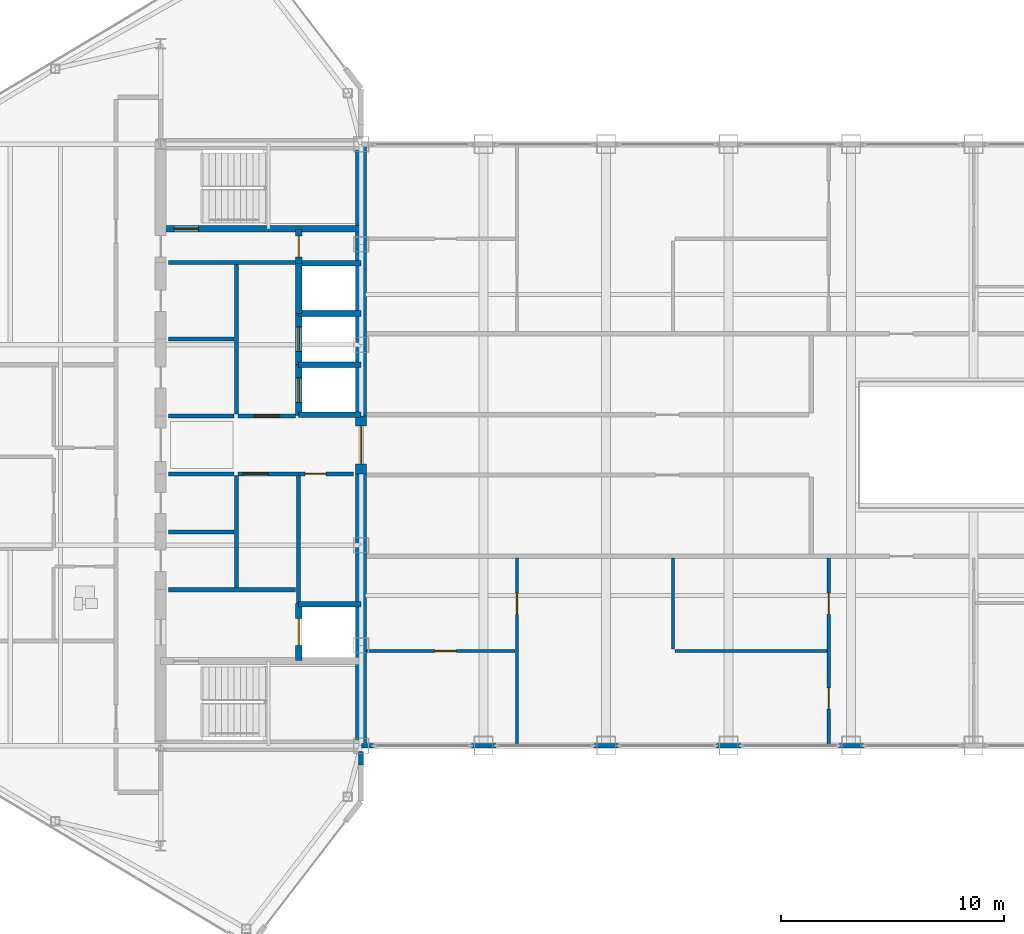
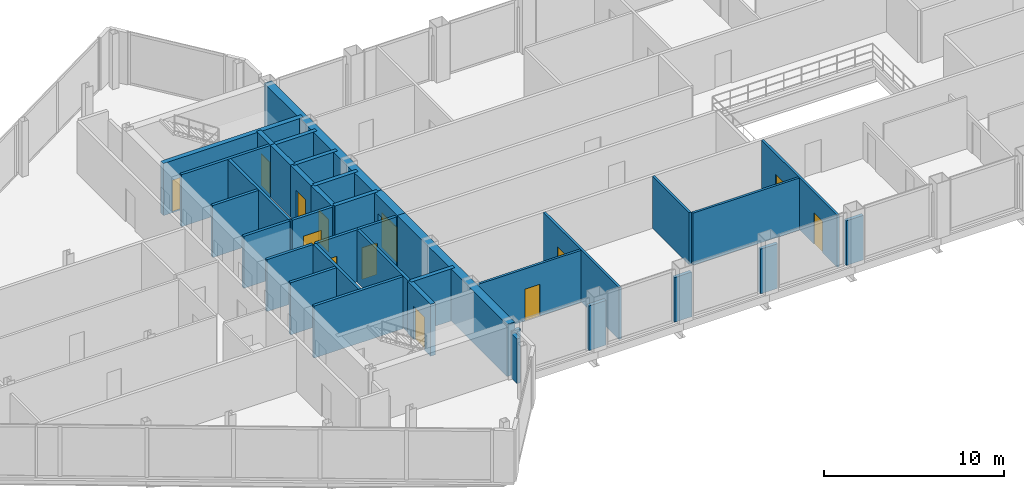
# One storey, part 22 of 29: 37 walls, 13 doors, 13 openings.
"""IFC4 building model written with IfcOpenShell, lengths in metres."""

from ifc_helpers import new_model, si_unit, direction, frame, frame_2d, origin, place, context, subcontext, project, spatial, rectangle, extrude, source, transform, mapped, material, layer, layer_set, type_object, type_shapes, element, fill, save


model = new_model("IFC4")

# Units and contexts
model_context = context("Model", 3, precision=1e-05, world=origin(), true_north=direction((0.0, 1.0)))
body_context = subcontext(model_context, "Body", "Model", "MODEL_VIEW")
ifc_project = project(units=[si_unit("LENGTHUNIT", "METRE"), si_unit("AREAUNIT", "SQUARE_METRE"), si_unit("VOLUMEUNIT", "CUBIC_METRE"), si_unit("PLANEANGLEUNIT", "RADIAN"), si_unit("MASSUNIT", "GRAM", prefix="KILO")], contexts=[model_context])

# Site, building, storey
site_placement = place(None, origin())
site = spatial("IfcSite", under=ifc_project, at=site_placement, CompositionType="ELEMENT")
building_placement = place(site_placement, origin())
building = spatial("IfcBuilding", under=site, at=building_placement, Name="Seokmaru Belvedere", CompositionType="ELEMENT")
storey_placement = place(building_placement, frame((0.0, 0.0, 243.14990234375)))
storey = spatial("IfcBuildingStorey", under=building, at=storey_placement, Name="L64", CompositionType="ELEMENT", Elevation=243.14990234375)

# Wall, opening, door
ifc_material_1 = material(Name="Fire-Rated Gypsum Shaftwall")
ifc_layer_1 = layer(ifc_material_1, 0.14990234375)
ifc_layer_set_1 = layer_set([ifc_layer_1], Name="Fire-Rated Gypsum Shaftwall")
wall_type_1 = type_object("IfcWallType", Name="Apartment Fire-Acoustic Room Partition 150", PredefinedType="PARTITIONING", material=ifc_layer_set_1)
wall_1_placement = place(storey_placement, frame((-27.2451171875, -9.25, 0.0), z_axis=(0.0, 0.0, 1.0), x_axis=(1.0, 0.0, 0.0)))
wall_1 = element("IfcWall", 1, at=wall_1_placement, inside=storey, type_object=wall_type_1, Name="L64 Interior Partition 003", PredefinedType="PARTITIONING", context=body_context, shape_type="SweptSolid", body=[
    extrude(rectangle(XDim=6.66015625, YDim=0.14990234375, at=frame_2d((3.330078125, 0.0))), origin(), (0.0, 0.0, 1.0), 3.530029296875),
])
opening_1_placement = place(wall_1_placement, frame((3.070068359375, 0.0, 0.0)))
opening_1 = element("IfcOpeningElement", 2, at=opening_1_placement, cuts=wall_1, Name="Opening D05", PredefinedType="OPENING", context=body_context, shape_type="SweptSolid", body=[
    extrude(rectangle(XDim=0.949951171875, YDim=2.14990234375, at=frame_2d((0.47509765625, 1.074951171875))), frame((0.0, 0.0849609375, 0.0), z_axis=(0.0, -1.0, 0.0), x_axis=(1.0, 0.0, 0.0)), (0.0, 0.0, 1.0), 0.169921875),
])
ifc_material_2 = material(Name="Engineered White Oak Timber", Category="wood")
door_type_1 = type_object("IfcDoorType", Name="Apartment Interior Fire-Rated Oak Door 950x2150", OperationType="NOTDEFINED", PredefinedType="DOOR", material=ifc_material_2)
shared_shape_1 = source(origin(), body_context, "Body", "SweptSolid", [
    extrude(rectangle(XDim=0.949951171875, YDim=2.14990234375, at=frame_2d((0.47509765625, 1.074951171875))), frame((0.0, 0.02490234375, 0.0), z_axis=(0.0, -1.0, 0.0), x_axis=(1.0, 0.0, 0.0)), (0.0, 0.0, 1.0), 0.050048828125),
])
type_shapes(door_type_1, [shared_shape_1])
door_1_placement = place(opening_1_placement, origin())
door_1 = element("IfcDoor", 3, at=door_1_placement, inside=storey, type_object=door_type_1, Name="L64 Interior Door 033", OperationType="SINGLE_SWING_RIGHT", OverallHeight=2.14990234375, OverallWidth=0.949951171875, PredefinedType="DOOR", context=body_context, shape_type="MappedRepresentation", body=[
    mapped(shared_shape_1, transform((0.0, 0.0, 0.0), scale=1.0)),
])
fill(opening_1, door_1)

# Wall
wall_2_placement = place(storey_placement, frame((-13.4150390625, -9.25, 0.0), z_axis=(0.0, 0.0, 1.0), x_axis=(1.0, 0.0, 0.0)))
element("IfcWall", 4, at=wall_2_placement, inside=storey, type_object=wall_type_1, Name="L64 Interior Partition 004", PredefinedType="PARTITIONING", context=body_context, shape_type="SweptSolid", body=[
    extrude(rectangle(XDim=6.830078125, YDim=0.14990234375, at=frame_2d((3.4150390625, 0.0))), origin(), (0.0, 0.0, 1.0), 3.530029296875),
])

# Wall, opening, door
wall_3_placement = place(storey_placement, frame((-20.5, -13.5, 0.0), z_axis=(0.0, 0.0, 1.0), x_axis=(0.0, 1.0, 0.0)))
wall_3 = element("IfcWall", 5, at=wall_3_placement, inside=storey, type_object=wall_type_1, Name="L64 Interior Partition 038", PredefinedType="PARTITIONING", context=body_context, shape_type="SweptSolid", body=[
    extrude(rectangle(XDim=8.4150390625, YDim=0.14990234375, at=frame_2d((4.20751953125, 0.0))), origin(), (0.0, 0.0, 1.0), 3.530029296875),
])
opening_2_placement = place(wall_3_placement, frame((5.89990234375, 0.0, 0.0)))
opening_2 = element("IfcOpeningElement", 6, at=opening_2_placement, cuts=wall_3, Name="Opening D05", PredefinedType="OPENING", context=body_context, shape_type="SweptSolid", body=[
    extrude(rectangle(XDim=0.949951171875, YDim=2.14990234375, at=frame_2d((0.47509765625, 1.074951171875))), frame((0.0, 0.0849609375, 0.0), z_axis=(0.0, -1.0, 0.0), x_axis=(1.0, 0.0, 0.0)), (0.0, 0.0, 1.0), 0.169921875),
])
door_2_placement = place(opening_2_placement, origin())
door_2 = element("IfcDoor", 7, at=door_2_placement, inside=storey, type_object=door_type_1, Name="L64 Interior Door 032", OperationType="SINGLE_SWING_LEFT", OverallHeight=2.14990234375, OverallWidth=0.949951171875, PredefinedType="DOOR", context=body_context, shape_type="MappedRepresentation", body=[
    mapped(shared_shape_1, transform((0.0, 0.0, 0.0), scale=1.0)),
])
fill(opening_2, door_2)

# Wall
wall_4_placement = place(storey_placement, frame((-13.5, -9.1650390625, 0.0), z_axis=(0.0, 0.0, 1.0), x_axis=(0.0, 1.0, 0.0)))
element("IfcWall", 8, at=wall_4_placement, inside=storey, type_object=wall_type_1, Name="L64 Interior Partition 040", PredefinedType="PARTITIONING", context=body_context, shape_type="SweptSolid", body=[
    extrude(rectangle(XDim=4.080078125, YDim=0.14990234375, at=frame_2d((2.0400390625, 0.0))), origin(), (0.0, 0.0, 1.0), 3.530029296875),
])

# Wall, openings, doors
wall_5_placement = place(storey_placement, frame((-6.5, -13.5, 0.0), z_axis=(0.0, 0.0, 1.0), x_axis=(0.0, 1.0, 0.0)))
wall_5 = element("IfcWall", 9, at=wall_5_placement, inside=storey, type_object=wall_type_1, Name="L64 Interior Partition 044", PredefinedType="PARTITIONING", context=body_context, shape_type="SweptSolid", body=[
    extrude(rectangle(XDim=8.4150390625, YDim=0.14990234375, at=frame_2d((4.20751953125, 0.0))), origin(), (0.0, 0.0, 1.0), 3.530029296875),
])
opening_3_placement = place(wall_5_placement, frame((5.89990234375, 0.0, 0.0)))
opening_3 = element("IfcOpeningElement", 10, at=opening_3_placement, cuts=wall_5, Name="Opening D05", PredefinedType="OPENING", context=body_context, shape_type="SweptSolid", body=[
    extrude(rectangle(XDim=0.949951171875, YDim=2.14990234375, at=frame_2d((0.47509765625, 1.074951171875))), frame((0.0, 0.0849609375, 0.0), z_axis=(0.0, -1.0, 0.0), x_axis=(1.0, 0.0, 0.0)), (0.0, 0.0, 1.0), 0.169921875),
])
opening_4_placement = place(wall_5_placement, frame((1.64990234375, 0.0, 0.0)))
opening_4 = element("IfcOpeningElement", 11, at=opening_4_placement, cuts=wall_5, Name="Opening D05", PredefinedType="OPENING", context=body_context, shape_type="SweptSolid", body=[
    extrude(rectangle(XDim=0.949951171875, YDim=2.14990234375, at=frame_2d((0.47509765625, 1.074951171875))), frame((0.0, 0.0849609375, 0.0), z_axis=(0.0, -1.0, 0.0), x_axis=(1.0, 0.0, 0.0)), (0.0, 0.0, 1.0), 0.169921875),
])
door_3_placement = place(opening_3_placement, origin())
door_3 = element("IfcDoor", 12, at=door_3_placement, inside=storey, type_object=door_type_1, Name="L64 Interior Door 030", OperationType="SINGLE_SWING_LEFT", OverallHeight=2.14990234375, OverallWidth=0.949951171875, PredefinedType="DOOR", context=body_context, shape_type="MappedRepresentation", body=[
    mapped(shared_shape_1, transform((0.0, 0.0, 0.0), scale=1.0)),
])
fill(opening_3, door_3)
door_4_placement = place(opening_4_placement, origin())
door_4 = element("IfcDoor", 13, at=door_4_placement, inside=storey, type_object=door_type_1, Name="L64 Interior Door 031", OperationType="SINGLE_SWING_RIGHT", OverallHeight=2.14990234375, OverallWidth=0.949951171875, PredefinedType="DOOR", context=body_context, shape_type="MappedRepresentation", body=[
    mapped(shared_shape_1, transform((0.0, 0.0, 0.0), scale=1.0)),
])
fill(opening_4, door_4)

# Walls
ifc_material_3 = material(Name="Anodised Bronze Aluminium", Category="aluminium")
ifc_layer_2 = layer(ifc_material_3, 0.2099609375)
ifc_layer_set_2 = layer_set([ifc_layer_2], Name="Anodised Bronze Aluminium")
wall_type_2 = type_object("IfcWallType", Name="Bridge Column Spandrel Closure Pier 210", PredefinedType="SOLIDWALL", material=ifc_layer_set_2)
wall_6_placement = place(storey_placement, frame((-27.489990234375, -13.5, 0.0), z_axis=(0.0, 0.0, 1.0), x_axis=(1.0, 0.0, 0.0)))
element("IfcWall", 14, at=wall_6_placement, inside=storey, type_object=wall_type_2, Name="L64 Bridge South Column Closure Pier 01", PredefinedType="SOLIDWALL", context=body_context, shape_type="SweptSolid", body=[
    extrude(rectangle(XDim=0.5400390625, YDim=0.2099609375, at=frame_2d((0.27001953125, 0.0))), origin(), (0.0, 0.0, 1.0), 3.030029296875),
])
for number, where, z_axis, x_axis, name in (
    (15, (-22.550048828125, -13.5, 0.0), (0.0, 0.0, 1.0), (1.0, 0.0, 0.0), "L64 Bridge South Column Closure Pier 02"),
    (16, (-17.050048828125, -13.5, 0.0), (0.0, 0.0, 1.0), (1.0, 0.0, 0.0), "L64 Bridge South Column Closure Pier 03"),
    (17, (-11.550048828125, -13.5, 0.0), (0.0, 0.0, 1.0), (1.0, 0.0, 0.0), "L64 Bridge South Column Closure Pier 04"),
    (18, (-6.050048828125, -13.5, 0.0), (0.0, 0.0, 1.0), (1.0, 0.0, 0.0), "L64 Bridge South Column Closure Pier 05"),
):
    element("IfcWall", number, at=place(storey_placement, frame(where, z_axis=z_axis, x_axis=x_axis)), inside=storey, type_object=wall_type_2, Name=name, PredefinedType="SOLIDWALL", context=body_context, shape_type="SweptSolid", body=[
        extrude(rectangle(XDim=1.10009765625, YDim=0.2099609375, at=frame_2d((0.550048828125, 0.0))), origin(), (0.0, 0.0, 1.0), 3.030029296875),
    ])
ifc_layer_3 = layer(ifc_material_1, 0.179931640625)
ifc_layer_set_3 = layer_set([ifc_layer_3], Name="Fire-Rated Gypsum Shaftwall")
wall_type_3 = type_object("IfcWallType", Name="Core Service Fire Partition 180", PredefinedType="PARTITIONING", material=ifc_layer_set_3)
for number, where, z_axis, x_axis, name in (
    (19, (-36.14990234375, -6.5, 0.0), (0.0, 0.0, 1.0), (1.0, 0.0, 0.0), "L64 West Firefighting Lobby Partition"),
    (20, (-36.14990234375, 8.199951171875, 0.0), (0.0, 0.0, 1.0), (1.0, 0.0, 0.0), "L64 West Smokeproof Vestibule Partition"),
):
    element("IfcWall", number, at=place(storey_placement, frame(where, z_axis=z_axis, x_axis=x_axis)), inside=storey, type_object=wall_type_3, Name=name, PredefinedType="PARTITIONING", context=body_context, shape_type="SweptSolid", body=[
        extrude(rectangle(XDim=5.699951171875, YDim=0.179931640625, at=frame_2d((2.85009765625, 0.0))), origin(), (0.0, 0.0, 1.0), 3.530029296875),
    ])
wall_7_placement = place(storey_placement, frame((-33.10009765625, -6.419921875, 0.0), z_axis=(0.0, 0.0, 1.0), x_axis=(0.0, 1.0, 0.0)))
element("IfcWall", 21, at=wall_7_placement, inside=storey, type_object=wall_type_3, Name="L64 West South Core Service Back Wall", PredefinedType="PARTITIONING", context=body_context, shape_type="SweptSolid", body=[
    extrude(rectangle(XDim=5.0400390625, YDim=0.179931640625, at=frame_2d((2.52001953125, 0.0))), origin(), (0.0, 0.0, 1.0), 3.530029296875),
])
wall_8_placement = place(storey_placement, frame((-33.10009765625, 1.3798828125, 0.0), z_axis=(0.0, 0.0, 1.0), x_axis=(0.0, 1.0, 0.0)))
element("IfcWall", 22, at=wall_8_placement, inside=storey, type_object=wall_type_3, Name="L64 West North Core Service Back Wall", PredefinedType="PARTITIONING", context=body_context, shape_type="SweptSolid", body=[
    extrude(rectangle(XDim=6.740234375, YDim=0.179931640625, at=frame_2d((3.3701171875, 0.0))), origin(), (0.0, 0.0, 1.0), 3.530029296875),
])

# Wall, opening, door
wall_9_placement = place(storey_placement, frame((-30.300048828125, -1.300048828125, 0.0), z_axis=(0.0, 0.0, 1.0), x_axis=(1.0, 0.0, 0.0)))
wall_9 = element("IfcWall", 23, at=wall_9_placement, inside=storey, type_object=wall_type_3, Name="L64 West South Parcel Vault Foyer Wall", PredefinedType="PARTITIONING", context=body_context, shape_type="SweptSolid", body=[
    extrude(rectangle(XDim=2.449951171875, YDim=0.179931640625, at=frame_2d((1.22509765625, 0.0))), origin(), (0.0, 0.0, 1.0), 3.530029296875),
])
opening_5_placement = place(wall_9_placement, frame((0.27490234375, 0.0, 0.0)))
opening_5 = element("IfcOpeningElement", 24, at=opening_5_placement, cuts=wall_9, Name="Opening D04", PredefinedType="OPENING", context=body_context, shape_type="SweptSolid", body=[
    extrude(rectangle(XDim=0.949951171875, YDim=2.14990234375, at=frame_2d((0.47509765625, 1.074951171875))), frame((0.0, 0.10009765625, 0.0), z_axis=(0.0, -1.0, 0.0), x_axis=(1.0, 0.0, 0.0)), (0.0, 0.0, 1.0), 0.199951171875),
])
ifc_material_4 = material(Name="Fire-Rated Steel Leaf", Category="steel")
door_type_2 = type_object("IfcDoorType", Name="Core Service Room Fire Door 950x2150", OperationType="NOTDEFINED", PredefinedType="DOOR", material=ifc_material_4)
shared_shape_2 = source(origin(), body_context, "Body", "SweptSolid", [
    extrude(rectangle(XDim=0.949951171875, YDim=2.14990234375, at=frame_2d((0.47509765625, 1.074951171875))), frame((0.0, 0.02490234375, 0.0), z_axis=(0.0, -1.0, 0.0), x_axis=(1.0, 0.0, 0.0)), (0.0, 0.0, 1.0), 0.050048828125),
])
type_shapes(door_type_2, [shared_shape_2])
door_5_placement = place(opening_5_placement, origin())
door_5 = element("IfcDoor", 25, at=door_5_placement, inside=storey, type_object=door_type_2, Name="L64 West South Parcel Vault Door", OperationType="SINGLE_SWING_LEFT", OverallHeight=2.14990234375, OverallWidth=0.949951171875, PredefinedType="DOOR", context=body_context, shape_type="MappedRepresentation", body=[
    mapped(shared_shape_2, transform((0.0, 0.0, 0.0), scale=1.0)),
])
fill(opening_5, door_5)

wall_10_placement = place(storey_placement, frame((-33.02001953125, -1.300048828125, 0.0), z_axis=(0.0, 0.0, 1.0), x_axis=(1.0, 0.0, 0.0)))
wall_10 = element("IfcWall", 26, at=wall_10_placement, inside=storey, type_object=wall_type_3, Name="L64 West South Wine Cellar Foyer Wall", PredefinedType="PARTITIONING", context=body_context, shape_type="SweptSolid", body=[
    extrude(rectangle(XDim=2.719970703125, YDim=0.179931640625, at=frame_2d((1.35986328125, 0.0))), origin(), (0.0, 0.0, 1.0), 3.530029296875),
])
opening_6_placement = place(wall_10_placement, frame((0.2099609375, 0.0, 0.0)))
opening_6 = element("IfcOpeningElement", 27, at=opening_6_placement, cuts=wall_10, Name="Opening D02", PredefinedType="OPENING", context=body_context, shape_type="SweptSolid", body=[
    extrude(rectangle(XDim=1.14990234375, YDim=2.199951171875, at=frame_2d((0.574951171875, 1.10009765625))), frame((0.0, 0.10009765625, 0.0), z_axis=(0.0, -1.0, 0.0), x_axis=(1.0, 0.0, 0.0)), (0.0, 0.0, 1.0), 0.199951171875),
])
door_type_3 = type_object("IfcDoorType", Name="Lobby and Vestibule Fire Door 1150x2200", OperationType="NOTDEFINED", PredefinedType="DOOR", material=ifc_material_4)
shared_shape_3 = source(origin(), body_context, "Body", "SweptSolid", [
    extrude(rectangle(XDim=1.14990234375, YDim=2.199951171875, at=frame_2d((0.574951171875, 1.10009765625))), frame((0.0, 0.02490234375, 0.0), z_axis=(0.0, -1.0, 0.0), x_axis=(1.0, 0.0, 0.0)), (0.0, 0.0, 1.0), 0.050048828125),
])
type_shapes(door_type_3, [shared_shape_3])
door_6_placement = place(opening_6_placement, origin())
door_6 = element("IfcDoor", 28, at=door_6_placement, inside=storey, type_object=door_type_3, Name="L64 West South Core Foyer Door", OperationType="SINGLE_SWING_LEFT", OverallHeight=2.199951171875, OverallWidth=1.14990234375, PredefinedType="DOOR", context=body_context, shape_type="MappedRepresentation", body=[
    mapped(shared_shape_3, transform((0.0, 0.0, 0.0), scale=1.0)),
])
fill(opening_6, door_6)

# Wall
wall_11_placement = place(storey_placement, frame((-30.300048828125, -7.1201171875, 0.0), z_axis=(0.0, 0.0, 1.0), x_axis=(0.0, 1.0, 0.0)))
element("IfcWall", 29, at=wall_11_placement, inside=storey, type_object=wall_type_3, Name="L64 West Freed Shaft Vault Partition", PredefinedType="PARTITIONING", context=body_context, shape_type="SweptSolid", body=[
    extrude(rectangle(XDim=5.740234375, YDim=0.179931640625, at=frame_2d((2.8701171875, 0.0))), origin(), (0.0, 0.0, 1.0), 3.530029296875),
])

# Wall, opening, door
wall_12_placement = place(storey_placement, frame((-33.02001953125, 1.300048828125, 0.0), z_axis=(0.0, 0.0, 1.0), x_axis=(1.0, 0.0, 0.0)))
wall_12 = element("IfcWall", 30, at=wall_12_placement, inside=storey, type_object=wall_type_3, Name="L64 West North Lift Lobby Foyer Wall", PredefinedType="PARTITIONING", context=body_context, shape_type="SweptSolid", body=[
    extrude(rectangle(XDim=2.570068359375, YDim=0.179931640625, at=frame_2d((1.28515625, 0.0))), origin(), (0.0, 0.0, 1.0), 3.530029296875),
])
opening_7_placement = place(wall_12_placement, frame((0.7099609375, 0.0, 0.0)))
opening_7 = element("IfcOpeningElement", 31, at=opening_7_placement, cuts=wall_12, Name="Opening D02", PredefinedType="OPENING", context=body_context, shape_type="SweptSolid", body=[
    extrude(rectangle(XDim=1.14990234375, YDim=2.199951171875, at=frame_2d((0.574951171875, 1.10009765625))), frame((0.0, 0.10009765625, 0.0), z_axis=(0.0, -1.0, 0.0), x_axis=(1.0, 0.0, 0.0)), (0.0, 0.0, 1.0), 0.199951171875),
])
door_7_placement = place(opening_7_placement, origin())
door_7 = element("IfcDoor", 32, at=door_7_placement, inside=storey, type_object=door_type_3, Name="L64 West North Lift Lobby Door", OperationType="SINGLE_SWING_RIGHT", OverallHeight=2.199951171875, OverallWidth=1.14990234375, PredefinedType="DOOR", context=body_context, shape_type="MappedRepresentation", body=[
    mapped(shared_shape_3, transform((0.0, 0.0, 0.0), scale=1.0)),
])
fill(opening_7, door_7)

# Walls
for number, where, z_axis, x_axis, name in (
    (33, (-36.14990234375, -1.300048828125, 0.0), (0.0, 0.0, 1.0), (1.0, 0.0, 0.0), "L64 West Foyer Side Wall S"),
    (34, (-36.14990234375, 1.300048828125, 0.0), (0.0, 0.0, 1.0), (1.0, 0.0, 0.0), "L64 West Foyer Side Wall N"),
    (35, (-36.14990234375, -3.89990234375, 0.0), (0.0, 0.0, 1.0), (1.0, 0.0, 0.0), "L64 West Core Service Partition 1"),
    (36, (-36.14990234375, 4.75, 0.0), (0.0, 0.0, 1.0), (1.0, 0.0, 0.0), "L64 West Core Service Partition 2"),
):
    element("IfcWall", number, at=place(storey_placement, frame(where, z_axis=z_axis, x_axis=x_axis)), inside=storey, type_object=wall_type_3, Name=name, PredefinedType="PARTITIONING", context=body_context, shape_type="SweptSolid", body=[
        extrude(rectangle(XDim=2.949951171875, YDim=0.179931640625, at=frame_2d((1.47509765625, 0.0))), origin(), (0.0, 0.0, 1.0), 3.530029296875),
    ])
ifc_material_5 = material(Name="Concrete C50 (50 MPa)", Category="concrete")
ifc_layer_4 = layer(ifc_material_5, 0.25)
ifc_layer_set_4 = layer_set([ifc_layer_4], Name="Concrete C50 (50 MPa)")
wall_type_4 = type_object("IfcWallType", Name="Hoistway Transverse Concrete Divider Wall 250", PredefinedType="SHEAR", material=ifc_layer_set_4)
for number, where, z_axis, x_axis, name in (
    (37, (-30.300048828125, -7.14990234375, 0.0), (0.0, 0.0, 1.0), (1.0, 0.0, 0.0), "L64 West Hoistway Divider Core Wall 1"),
    (38, (-30.300048828125, 1.35009765625, 0.0), (0.0, 0.0, 1.0), (1.0, 0.0, 0.0), "L64 West Hoistway Divider Core Wall 2"),
    (39, (-30.300048828125, 3.60009765625, 0.0), (0.0, 0.0, 1.0), (1.0, 0.0, 0.0), "L64 West Hoistway Divider Core Wall 3"),
    (40, (-30.300048828125, 5.89990234375, 0.0), (0.0, 0.0, 1.0), (1.0, 0.0, 0.0), "L64 West Hoistway Divider Core Wall 4"),
    (41, (-30.300048828125, 8.14990234375, 0.0), (0.0, 0.0, 1.0), (1.0, 0.0, 0.0), "L64 West Hoistway Divider Core Wall 5"),
):
    element("IfcWall", number, at=place(storey_placement, frame(where, z_axis=z_axis, x_axis=x_axis)), inside=storey, type_object=wall_type_4, Name=name, PredefinedType="SHEAR", context=body_context, shape_type="SweptSolid", body=[
        extrude(rectangle(XDim=2.800048828125, YDim=0.25, at=frame_2d((1.39990234375, 0.0))), origin(), (0.0, 0.0, 1.0), 3.530029296875),
    ])

# Wall, opening, door
ifc_layer_5 = layer(ifc_material_5, 0.300048828125)
ifc_layer_set_5 = layer_set([ifc_layer_5], Name="Concrete C50 (50 MPa)")
wall_type_5 = type_object("IfcWallType", Name="Internal Core Stair and Hoistway Wall 300", PredefinedType="SHEAR", material=ifc_layer_set_5)
wall_13_placement = place(storey_placement, frame((-36.5, 9.699951171875, 0.0), z_axis=(0.0, 0.0, 1.0), x_axis=(1.0, 0.0, 0.0)))
wall_13 = element("IfcWall", 42, at=wall_13_placement, inside=storey, type_object=wall_type_5, Name="L64 West Stair ST-2 Enclosure Wall", PredefinedType="SHEAR", context=body_context, shape_type="SweptSolid", body=[
    extrude(rectangle(XDim=9.0, YDim=0.300048828125, at=frame_2d((4.5, 0.0))), origin(), (0.0, 0.0, 1.0), 3.530029296875),
])
opening_8_placement = place(wall_13_placement, frame((0.60009765625, 0.0, 0.0)))
opening_8 = element("IfcOpeningElement", 43, at=opening_8_placement, cuts=wall_13, Name="Opening D01", PredefinedType="OPENING", context=body_context, shape_type="SweptSolid", body=[
    extrude(rectangle(XDim=1.10009765625, YDim=2.199951171875, at=frame_2d((0.550048828125, 1.10009765625))), frame((0.0, 0.16015625, 0.0), z_axis=(0.0, -1.0, 0.0), x_axis=(1.0, 0.0, 0.0)), (0.0, 0.0, 1.0), 0.320068359375),
])
door_type_4 = type_object("IfcDoorType", Name="Special Escape Stair Smokeproof Fire Door 1100x2200", OperationType="NOTDEFINED", PredefinedType="DOOR", material=ifc_material_4)
shared_shape_4 = source(origin(), body_context, "Body", "SweptSolid", [
    extrude(rectangle(XDim=1.10009765625, YDim=2.199951171875, at=frame_2d((0.550048828125, 1.10009765625))), frame((0.0, 0.02490234375, 0.0), z_axis=(0.0, -1.0, 0.0), x_axis=(1.0, 0.0, 0.0)), (0.0, 0.0, 1.0), 0.050048828125),
])
type_shapes(door_type_4, [shared_shape_4])
door_8_placement = place(opening_8_placement, origin())
door_8 = element("IfcDoor", 44, at=door_8_placement, inside=storey, type_object=door_type_4, Name="L64 West Special Escape Stair ST-2 Door", OperationType="SINGLE_SWING_RIGHT", OverallHeight=2.199951171875, OverallWidth=1.10009765625, PredefinedType="DOOR", context=body_context, shape_type="MappedRepresentation", body=[
    mapped(shared_shape_4, transform((0.0, 0.0, 0.0), scale=1.0)),
])
fill(opening_8, door_8)

wall_14_placement = place(storey_placement, frame((-30.300048828125, -9.679931640625, 0.0), z_axis=(0.0, 0.0, 1.0), x_axis=(0.0, 1.0, 0.0)))
wall_14 = element("IfcWall", 45, at=wall_14_placement, inside=storey, type_object=wall_type_5, Name="L64 West Firefighting Lift Shaft Front Wall", PredefinedType="SHEAR", context=body_context, shape_type="SweptSolid", body=[
    extrude(rectangle(XDim=2.559814453125, YDim=0.300048828125, at=frame_2d((1.27978515625, 0.0))), origin(), (0.0, 0.0, 1.0), 3.530029296875),
])
opening_9_placement = place(wall_14_placement, frame((0.679931640625, 0.0, 0.0)))
opening_9 = element("IfcOpeningElement", 46, at=opening_9_placement, cuts=wall_14, Name="Opening LD2", PredefinedType="OPENING", context=body_context, shape_type="SweptSolid", body=[
    extrude(rectangle(XDim=1.199951171875, YDim=2.25, at=frame_2d((0.60009765625, 1.125))), frame((0.0, 0.16015625, 0.0), z_axis=(0.0, -1.0, 0.0), x_axis=(1.0, 0.0, 0.0)), (0.0, 0.0, 1.0), 0.320068359375),
])
ifc_material_6 = material(Name="Stainless Steel 316", Category="steel")
door_type_5 = type_object("IfcDoorType", Name="Firefighting Lift Sliding Landing Door 1200x2250", OperationType="DOUBLE_DOOR_SLIDING", PredefinedType="DOOR", material=ifc_material_6)
shared_shape_5 = source(origin(), body_context, "Body", "SweptSolid", [
    extrude(rectangle(XDim=1.199951171875, YDim=2.25, at=frame_2d((0.60009765625, 1.125))), frame((0.0, 0.02490234375, 0.0), z_axis=(0.0, -1.0, 0.0), x_axis=(1.0, 0.0, 0.0)), (0.0, 0.0, 1.0), 0.050048828125),
])
type_shapes(door_type_5, [shared_shape_5])
door_9_placement = place(opening_9_placement, origin())
door_9 = element("IfcDoor", 47, at=door_9_placement, inside=storey, type_object=door_type_5, Name="L64 West Firefighting Lift Landing Door", OperationType="DOUBLE_DOOR_SLIDING", OverallHeight=2.25, OverallWidth=1.199951171875, PredefinedType="DOOR", context=body_context, shape_type="MappedRepresentation", body=[
    mapped(shared_shape_5, transform((0.0, 0.0, 0.0), scale=1.0)),
])
fill(opening_9, door_9)

wall_15_placement = place(storey_placement, frame((-30.300048828125, 1.320068359375, 0.0), z_axis=(0.0, 0.0, 1.0), x_axis=(0.0, 1.0, 0.0)))
wall_15 = element("IfcWall", 48, at=wall_15_placement, inside=storey, type_object=wall_type_5, Name="L64 West North Hoistway Wall PH1", PredefinedType="SHEAR", context=body_context, shape_type="SweptSolid", body=[
    extrude(rectangle(XDim=2.280029296875, YDim=0.300048828125, at=frame_2d((1.14013671875, 0.0))), origin(), (0.0, 0.0, 1.0), 3.530029296875),
])
opening_10_placement = place(wall_15_placement, frame((0.590087890625, 0.0, 0.0)))
opening_10 = element("IfcOpeningElement", 49, at=opening_10_placement, cuts=wall_15, Name="Opening LD1", PredefinedType="OPENING", context=body_context, shape_type="SweptSolid", body=[
    extrude(rectangle(XDim=1.10009765625, YDim=2.199951171875, at=frame_2d((0.550048828125, 1.10009765625))), frame((0.0, 0.16015625, 0.0), z_axis=(0.0, -1.0, 0.0), x_axis=(1.0, 0.0, 0.0)), (0.0, 0.0, 1.0), 0.320068359375),
])
door_type_6 = type_object("IfcDoorType", Name="Passenger Lift Sliding Landing Door 1100x2200", OperationType="DOUBLE_DOOR_SLIDING", PredefinedType="DOOR", material=ifc_material_6)
shared_shape_6 = source(origin(), body_context, "Body", "SweptSolid", [
    extrude(rectangle(XDim=1.10009765625, YDim=2.199951171875, at=frame_2d((0.550048828125, 1.10009765625))), frame((0.0, 0.02490234375, 0.0), z_axis=(0.0, -1.0, 0.0), x_axis=(1.0, 0.0, 0.0)), (0.0, 0.0, 1.0), 0.050048828125),
])
type_shapes(door_type_6, [shared_shape_6])
door_10_placement = place(opening_10_placement, origin())
door_10 = element("IfcDoor", 50, at=door_10_placement, inside=storey, type_object=door_type_6, Name="L64 West High-Rise Lift PH-1 Landing Door", OperationType="DOUBLE_DOOR_SLIDING", OverallHeight=2.199951171875, OverallWidth=1.10009765625, PredefinedType="DOOR", context=body_context, shape_type="MappedRepresentation", body=[
    mapped(shared_shape_6, transform((0.0, 0.0, 0.0), scale=1.0)),
])
fill(opening_10, door_10)

wall_16_placement = place(storey_placement, frame((-30.300048828125, 3.60009765625, 0.0), z_axis=(0.0, 0.0, 1.0), x_axis=(0.0, 1.0, 0.0)))
wall_16 = element("IfcWall", 51, at=wall_16_placement, inside=storey, type_object=wall_type_5, Name="L64 West North Hoistway Wall PH2", PredefinedType="SHEAR", context=body_context, shape_type="SweptSolid", body=[
    extrude(rectangle(XDim=2.2998046875, YDim=0.300048828125, at=frame_2d((1.14990234375, 0.0))), origin(), (0.0, 0.0, 1.0), 3.530029296875),
])
opening_11_placement = place(wall_16_placement, frame((0.60009765625, 0.0, 0.0)))
opening_11 = element("IfcOpeningElement", 52, at=opening_11_placement, cuts=wall_16, Name="Opening LD1", PredefinedType="OPENING", context=body_context, shape_type="SweptSolid", body=[
    extrude(rectangle(XDim=1.10009765625, YDim=2.199951171875, at=frame_2d((0.550048828125, 1.10009765625))), frame((0.0, 0.16015625, 0.0), z_axis=(0.0, -1.0, 0.0), x_axis=(1.0, 0.0, 0.0)), (0.0, 0.0, 1.0), 0.320068359375),
])
door_11_placement = place(opening_11_placement, origin())
door_11 = element("IfcDoor", 53, at=door_11_placement, inside=storey, type_object=door_type_6, Name="L64 West High-Rise Lift PH-2 Landing Door", OperationType="DOUBLE_DOOR_SLIDING", OverallHeight=2.199951171875, OverallWidth=1.10009765625, PredefinedType="DOOR", context=body_context, shape_type="MappedRepresentation", body=[
    mapped(shared_shape_6, transform((0.0, 0.0, 0.0), scale=1.0)),
])
fill(opening_11, door_11)

# Wall
wall_17_placement = place(storey_placement, frame((-30.300048828125, 5.89990234375, 0.0), z_axis=(0.0, 0.0, 1.0), x_axis=(0.0, 1.0, 0.0)))
element("IfcWall", 54, at=wall_17_placement, inside=storey, type_object=wall_type_5, Name="L64 West North Hoistway Wall OBS", PredefinedType="SHEAR", context=body_context, shape_type="SweptSolid", body=[
    extrude(rectangle(XDim=2.25, YDim=0.300048828125, at=frame_2d((1.125, 0.0))), origin(), (0.0, 0.0, 1.0), 3.530029296875),
])

# Wall, opening, door
wall_18_placement = place(storey_placement, frame((-30.300048828125, 8.14990234375, 0.0), z_axis=(0.0, 0.0, 1.0), x_axis=(0.0, 1.0, 0.0)))
wall_18 = element("IfcWall", 55, at=wall_18_placement, inside=storey, type_object=wall_type_5, Name="L64 West Electrical Riser Front Wall", PredefinedType="SHEAR", context=body_context, shape_type="SweptSolid", body=[
    extrude(rectangle(XDim=1.530029296875, YDim=0.300048828125, at=frame_2d((0.76513671875, 0.0))), origin(), (0.0, 0.0, 1.0), 3.530029296875),
])
opening_12_placement = place(wall_18_placement, frame((0.284912109375, 0.0, 0.0)))
opening_12 = element("IfcOpeningElement", 56, at=opening_12_placement, cuts=wall_18, Name="Opening D04", PredefinedType="OPENING", context=body_context, shape_type="SweptSolid", body=[
    extrude(rectangle(XDim=0.949951171875, YDim=2.14990234375, at=frame_2d((0.47509765625, 1.074951171875))), frame((0.0, 0.16015625, 0.0), z_axis=(0.0, -1.0, 0.0), x_axis=(1.0, 0.0, 0.0)), (0.0, 0.0, 1.0), 0.320068359375),
])
door_12_placement = place(opening_12_placement, origin())
door_12 = element("IfcDoor", 57, at=door_12_placement, inside=storey, type_object=door_type_2, Name="L64 West Electrical Riser Access Door", OperationType="SINGLE_SWING_LEFT", OverallHeight=2.14990234375, OverallWidth=0.949951171875, PredefinedType="DOOR", context=body_context, shape_type="MappedRepresentation", body=[
    mapped(shared_shape_2, transform((0.0, 0.0, 0.0), scale=1.0)),
])
fill(opening_12, door_12)

# Walls
ifc_layer_6 = layer(ifc_material_3, 0.239990234375)
ifc_layer_set_6 = layer_set([ifc_layer_6], Name="Anodised Bronze Aluminium")
wall_type_6 = type_object("IfcWallType", Name="Tower Corner Spandrel Closure Wall 240", PredefinedType="SOLIDWALL", material=ifc_layer_set_6)
wall_19_placement = place(storey_placement, frame((-27.5, -14.374755859375, 0.0), z_axis=(0.0, 0.0, 1.0), x_axis=(0.0, 1.0, 0.0)))
element("IfcWall", 58, at=wall_19_placement, inside=storey, type_object=wall_type_6, Name="L64 W Shoulder Closure Wall 1 Part 2", PredefinedType="SOLIDWALL", context=body_context, shape_type="SweptSolid", body=[
    extrude(rectangle(XDim=0.619873046875, YDim=0.239990234375, at=frame_2d((0.31005859375, 0.0))), origin(), (0.0, 0.0, 1.0), 3.030029296875),
])
ifc_layer_7 = layer(ifc_material_5, 0.5)
ifc_layer_set_7 = layer_set([ifc_layer_7], Name="Concrete C50 (50 MPa)")
wall_type_7 = type_object("IfcWallType", Name="Upper Tower Reinforced Concrete Core Wall 500", PredefinedType="SHEAR", material=ifc_layer_set_7)
for number, where, z_axis, x_axis, name in (
    (59, (-27.5, -13.5, 0.0), (0.0, 0.0, 1.0), (0.0, 1.0, 0.0), "L64 West Portal Spine Core Wall South"),
    (60, (-27.5, 1.300048828125, 0.0), (0.0, 0.0, 1.0), (0.0, 1.0, 0.0), "L64 West Portal Spine Core Wall North"),
):
    element("IfcWall", number, at=place(storey_placement, frame(where, z_axis=z_axis, x_axis=x_axis)), inside=storey, type_object=wall_type_7, Name=name, PredefinedType="SHEAR", context=body_context, shape_type="SweptSolid", body=[
        extrude(rectangle(XDim=12.199951171875, YDim=0.5, at=frame_2d((6.10009765625, 0.0))), origin(), (0.0, 0.0, 1.0), 3.530029296875),
    ])

# Wall, opening, door
wall_20_placement = place(storey_placement, frame((-27.5, -1.300048828125, 0.0), z_axis=(0.0, 0.0, 1.0), x_axis=(0.0, 1.0, 0.0)))
wall_20 = element("IfcWall", 61, at=wall_20_placement, inside=storey, type_object=wall_type_7, Name="L64 West Portal Spine Core Wall Center", PredefinedType="SHEAR", context=body_context, shape_type="SweptSolid", body=[
    extrude(rectangle(XDim=2.60009765625, YDim=0.5, at=frame_2d((1.300048828125, 0.0))), origin(), (0.0, 0.0, 1.0), 3.530029296875),
])
opening_13_placement = place(wall_20_placement, frame((0.449951171875, 0.0, 0.0)))
opening_13 = element("IfcOpeningElement", 62, at=opening_13_placement, cuts=wall_20, Name="Opening D09", PredefinedType="OPENING", context=body_context, shape_type="SweptSolid", body=[
    extrude(rectangle(XDim=1.699951171875, YDim=2.35009765625, at=frame_2d((0.85009765625, 1.175048828125))), frame((0.0, 0.260009765625, 0.0), z_axis=(0.0, -1.0, 0.0), x_axis=(1.0, 0.0, 0.0)), (0.0, 0.0, 1.0), 0.52001953125),
])
door_type_7 = type_object("IfcDoorType", Name="Sky-Gate Bridge Inter-Tower Fire Door 1700x2350", OperationType="DOUBLE_SWING_LEFT", PredefinedType="DOOR", material=ifc_material_4)
shared_shape_7 = source(origin(), body_context, "Body", "SweptSolid", [
    extrude(rectangle(XDim=1.699951171875, YDim=2.35009765625, at=frame_2d((0.85009765625, 1.175048828125))), frame((0.0, 0.02490234375, 0.0), z_axis=(0.0, -1.0, 0.0), x_axis=(1.0, 0.0, 0.0)), (0.0, 0.0, 1.0), 0.050048828125),
])
type_shapes(door_type_7, [shared_shape_7])
door_13_placement = place(opening_13_placement, origin())
door_13 = element("IfcDoor", 63, at=door_13_placement, inside=storey, type_object=door_type_7, Name="L64 West Inter-Tower Fire Door", OperationType="DOUBLE_SWING_LEFT", OverallHeight=2.35009765625, OverallWidth=1.699951171875, PredefinedType="DOOR", context=body_context, shape_type="MappedRepresentation", body=[
    mapped(shared_shape_7, transform((0.0, 0.0, 0.0), scale=1.0)),
])
fill(opening_13, door_13)

save(model, "model.ifc")
